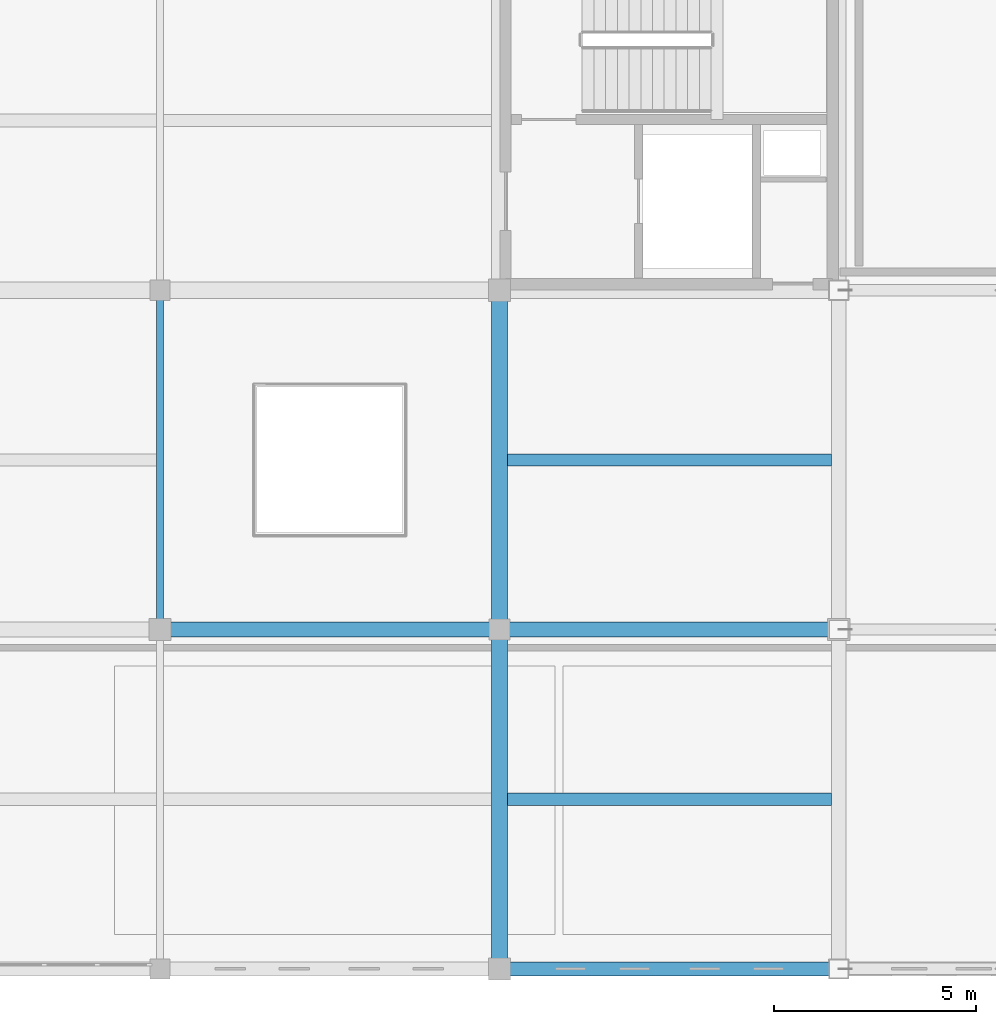
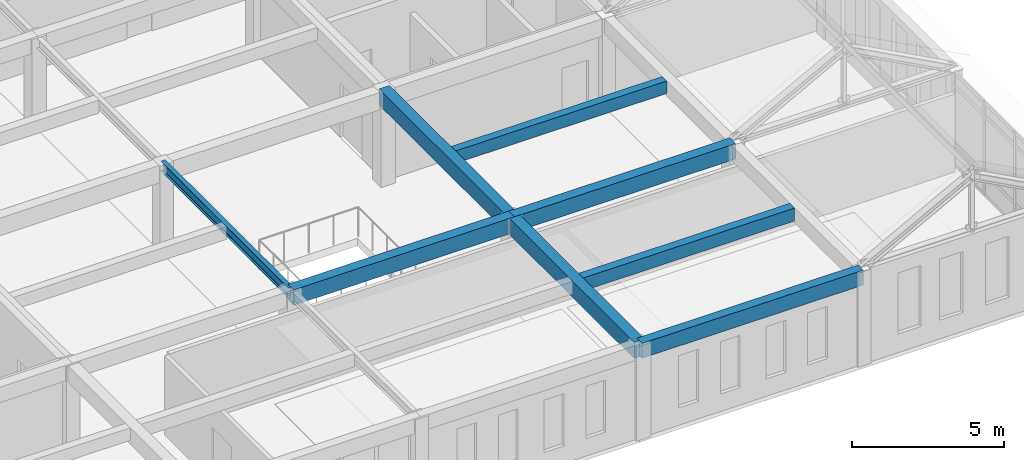
# One storey, part 3 of 36: 8 beams.
"""IFC4 building model written with IfcOpenShell, lengths in metres."""

import ifcopenshell
import ifcopenshell.guid

model = None  # the IFC model being written
_history = None  # IfcOwnerHistory: only IFC2X3 demands one
_inside = {}  # id of a spatial element -> (the spatial element, [elements in it])
_under = {}  # id of a project, library or spatial element -> (it, [spatial elements below it])
_declared = {}  # id of a project -> (the project, [libraries it declares])
_typed = {}  # id of a type object -> (the type object, [elements of that type])
_made_of = {}  # id of a material, layer set ... -> (it, [elements and type objects made of it])


def new_model(schema):
    """Start an empty IFC model of exactly this schema.

    Asked for "IFC4X3", IfcOpenShell would pick the latest addendum, in which some entities
    have other attributes; the version numbers below select the first issue.
    IFC2X3 requires an IfcOwnerHistory on every rooted entity: one is made here for all.
    """
    global model, _history
    if schema == "IFC4X3":
        model = ifcopenshell.file(schema_version=(4, 3, 0, 0))
    else:
        model = ifcopenshell.file(schema=schema)
    _inside.clear()
    _under.clear()
    _declared.clear()
    _typed.clear()
    _made_of.clear()
    _history = None
    if model.schema == "IFC2X3":
        org = make("IfcOrganization", Name="unknown")
        user = make(
            "IfcPersonAndOrganization",
            ThePerson=make("IfcPerson", FamilyName="unknown"),
            TheOrganization=org,
        )
        app = make(
            "IfcApplication",
            ApplicationDeveloper=org,
            Version="unknown",
            ApplicationFullName="unknown",
            ApplicationIdentifier="unknown",
        )
        _history = make(
            "IfcOwnerHistory",
            OwningUser=user,
            OwningApplication=app,
            ChangeAction="ADDED",
            CreationDate=0,
        )
    return model


def make(cls, **values):
    """One entity of the class cls with the attributes given. An attribute that is None is left unset."""
    return model.create_entity(
        cls, **{name: value for name, value in values.items() if value is not None}
    )


def rooted(cls, **values):
    """An entity with a GlobalId (a new one), such as an element, a storey or a relation."""
    return make(cls, GlobalId=ifcopenshell.guid.new(), OwnerHistory=_history, **values)


def si_unit(unit_type, name, prefix=None):
    """IfcSIUnit, for example si_unit("LENGTHUNIT", "METRE", prefix="MILLI")."""
    return make("IfcSIUnit", UnitType=unit_type, Prefix=prefix, Name=name)


def assignment(units):
    """IfcUnitAssignment: the units of a project."""
    return None if units is None else make("IfcUnitAssignment", Units=units)


def point(xyz):
    """IfcCartesianPoint."""
    return None if xyz is None else make("IfcCartesianPoint", Coordinates=xyz)


def direction(xyz):
    """IfcDirection."""
    return None if xyz is None else make("IfcDirection", DirectionRatios=xyz)


def frame(location, z_axis=None, x_axis=None):
    """IfcAxis2Placement3D, a coordinate frame: its origin and axes. An axis left out is left unset."""
    return make(
        "IfcAxis2Placement3D",
        Location=point(location),
        Axis=direction(z_axis),
        RefDirection=direction(x_axis),
    )


def frame_2d(location, x_axis=None):
    """IfcAxis2Placement2D, a coordinate frame in the plane: its origin and x axis."""
    return make(
        "IfcAxis2Placement2D", Location=point(location), RefDirection=direction(x_axis)
    )


def origin():
    """The frame at (0, 0, 0) with its axes left unset."""
    return frame((0.0, 0.0, 0.0))


def origin_2d():
    """The frame at (0, 0) in the plane with its x axis left unset."""
    return frame_2d((0.0, 0.0))


def place(relative_to, where):
    """IfcLocalPlacement: puts the frame where relative to a parent placement (None: the world)."""
    return make(
        "IfcLocalPlacement", PlacementRelTo=relative_to, RelativePlacement=where
    )


def context(
    kind, dimensions, precision=None, world=None, true_north=None, identifier=None
):
    """IfcGeometricRepresentationContext, for example the 3D "Model" context."""
    return make(
        "IfcGeometricRepresentationContext",
        ContextIdentifier=identifier,
        ContextType=kind,
        CoordinateSpaceDimension=dimensions,
        Precision=precision,
        WorldCoordinateSystem=world,
        TrueNorth=true_north,
    )


def subcontext(parent, identifier, kind, view, scale=None):
    """IfcGeometricRepresentationSubContext, for example "Body" below "Model"."""
    return make(
        "IfcGeometricRepresentationSubContext",
        ContextIdentifier=identifier,
        ContextType=kind,
        ParentContext=parent,
        TargetScale=scale,
        TargetView=view,
    )


def project(units=None, contexts=None):
    """IfcProject with its units and contexts."""
    return rooted(
        "IfcProject",
        Name="project",
        RepresentationContexts=contexts,
        UnitsInContext=assignment(units),
    )


def spatial(cls, under=None, at=None, **own):
    """A site, building, storey or space (cls), placed at a placement, below another one or the project."""
    s = rooted(cls, ObjectPlacement=at, **own)
    if under is not None:
        _under.setdefault(under.id(), (under, []))[1].append(s)
    return s


def profile(cls, at=None, kind="AREA", **sizes):
    """A parametric profile (cls). Its sizes go by their IFC names, for example OverallWidth=200.0."""
    return make(cls, ProfileType=kind, Position=at, **sizes)


def rectangle(**sizes):
    """IfcRectangleProfileDef."""
    return profile("IfcRectangleProfileDef", **sizes)


def i_section(**sizes):
    """IfcIShapeProfileDef."""
    return profile("IfcIShapeProfileDef", **sizes)


def extrude(swept, where, along, depth):
    """IfcExtrudedAreaSolid: the profile swept, set in the frame where, extruded along a direction by depth."""
    return make(
        "IfcExtrudedAreaSolid",
        SweptArea=swept,
        Position=where,
        ExtrudedDirection=direction(along),
        Depth=depth,
    )


def shape(context_of_items, identifier, shape_type, items):
    """IfcShapeRepresentation: the items that make up one representation, for example the "Body"."""
    return make(
        "IfcShapeRepresentation",
        ContextOfItems=context_of_items,
        RepresentationIdentifier=identifier,
        RepresentationType=shape_type,
        Items=items,
    )


def material(Name=None, Category=None):
    """IfcMaterial."""
    return make("IfcMaterial", Name=Name, Category=Category)


def material_profile(
    of_material, cross_section, Name=None, Category=None, Priority=None
):
    """IfcMaterialProfile: a cross section and its material."""
    return make(
        "IfcMaterialProfile",
        Name=Name,
        Material=of_material,
        Profile=cross_section,
        Priority=Priority,
        Category=Category,
    )


def profile_set(profiles, Name=None, composite=None):
    """IfcMaterialProfileSet."""
    return make(
        "IfcMaterialProfileSet",
        Name=Name,
        MaterialProfiles=profiles,
        CompositeProfile=composite,
    )


def made_of(thing, what):
    """Note that an element or type object is made of a material, layer set ...; save() writes the relation."""
    if what is not None:
        _made_of.setdefault(what.id(), (what, []))[1].append(thing)
    return thing


def type_object(cls, material=None, **own):
    """A type object (cls), such as IfcWallType, which elements share."""
    return made_of(rooted(cls, **own), material)


def element(
    cls,
    number,
    at=None,
    inside=None,
    cuts=None,
    type_object=None,
    material=None,
    context=None,
    identifier="Body",
    shape_type=None,
    held_by="IfcProductDefinitionShape",
    body=None,
    shapes=None,
    **own,
):
    """One element of the class cls, such as IfcWall. Its Tag is "e" and its number.

    at: its placement. inside: the storey or other place that contains it. cuts: it is an
    opening in that element (IfcRelVoidsElement). A single representation is given by context,
    identifier, shape_type and body (its items); several are given by shapes. held_by: the class
    of the entity that holds the representations. save() writes the other relations.
    """
    e = rooted(cls, Tag="e%d" % number, ObjectPlacement=at, **own)
    if body is not None:
        shapes = [shape(context, identifier, shape_type, body)]
    if shapes is not None:
        e.Representation = make(held_by, Representations=shapes)
    if inside is not None:
        _inside.setdefault(inside.id(), (inside, []))[1].append(e)
    if cuts is not None:
        rooted(
            "IfcRelVoidsElement", RelatingBuildingElement=cuts, RelatedOpeningElement=e
        )
    if type_object is not None:
        _typed.setdefault(type_object.id(), (type_object, []))[1].append(e)
    return made_of(e, material)


def aggregate(whole, parts):
    """IfcRelAggregates: a whole, such as a stair, and the parts it consists of."""
    return rooted("IfcRelAggregates", RelatingObject=whole, RelatedObjects=parts)


def save(model, path):
    """Write the relations noted so far, then the file.

    IfcRelAggregates (storeys below a building ...), IfcRelContainedInSpatialStructure (elements
    in a storey), IfcRelDefinesByType, IfcRelAssociatesMaterial and IfcRelDeclares: one each for
    every whole, place, type object, material and project.
    """
    for whole, parts in _under.values():
        aggregate(whole, parts)
    for where, things in _inside.values():
        rooted(
            "IfcRelContainedInSpatialStructure",
            RelatedElements=things,
            RelatingStructure=where,
        )
    for kind, things in _typed.values():
        rooted("IfcRelDefinesByType", RelatedObjects=things, RelatingType=kind)
    for what, things in _made_of.values():
        rooted("IfcRelAssociatesMaterial", RelatedObjects=things, RelatingMaterial=what)
    for by, libraries in _declared.values():
        rooted("IfcRelDeclares", RelatingContext=by, RelatedDefinitions=libraries)
    model.write(path)


model = new_model("IFC4")

# Units and contexts
model_context = context("Model", 3, precision=1e-05, world=origin(), true_north=direction((0.0, 1.0)))
body_context = subcontext(model_context, "Body", "Model", "MODEL_VIEW")
ifc_project = project(units=[si_unit("LENGTHUNIT", "METRE"), si_unit("AREAUNIT", "SQUARE_METRE"), si_unit("VOLUMEUNIT", "CUBIC_METRE"), si_unit("PLANEANGLEUNIT", "RADIAN"), si_unit("MASSUNIT", "GRAM", prefix="KILO")], contexts=[model_context])

# Site, building, storey
site_placement = place(None, origin())
site = spatial("IfcSite", under=ifc_project, at=site_placement, CompositionType="ELEMENT")
building_placement = place(site_placement, origin())
building = spatial("IfcBuilding", under=site, at=building_placement, Name="Kveldsbrygga Polytechnic", CompositionType="ELEMENT")
storey_placement = place(building_placement, frame((0.0, 0.0, 22.10009765625)))
storey = spatial("IfcBuildingStorey", under=building, at=storey_placement, Name="L05", CompositionType="ELEMENT", Elevation=22.10009765625)

# Beams
ifc_material_1 = material(Name="Concrete C35/45", Category="concrete")
ifc_material_profile_1 = material_profile(ifc_material_1, rectangle(XDim=0.3798828125, YDim=0.6201171875, at=origin_2d()), Name="RC 380x620")
ifc_profile_set_1 = profile_set([ifc_material_profile_1], Name="Concrete C35/45")
beam_type_1 = type_object("IfcBeamType", Name="BM-RC-380x620", PredefinedType="BEAM", material=ifc_profile_set_1)
beam_1_placement = place(storey_placement, frame((142.800048828125, 25.199951171875, 3.469970703125), z_axis=(1.0, 0.0, 0.0), x_axis=(0.0, 1.0, 0.0)))
element("IfcBeam", 1, at=beam_1_placement, inside=storey, type_object=beam_type_1, Name="Primary Beam BMX-L05-17to18-03", PredefinedType="BEAM", context=body_context, shape_type="SweptSolid", body=[
    extrude(rectangle(XDim=0.3798828125, YDim=0.6201171875, at=origin_2d()), origin(), (0.0, 0.0, 1.0), 8.39990234375),
])
beam_2_placement = place(storey_placement, frame((151.199951171875, 25.199951171875, 3.469970703125), z_axis=(1.0, 0.0, 0.0), x_axis=(0.0, 1.0, 0.0)))
element("IfcBeam", 2, at=beam_2_placement, inside=storey, type_object=beam_type_1, Name="Primary Beam BMX-L05-18to19-03", PredefinedType="BEAM", context=body_context, shape_type="SweptSolid", body=[
    extrude(rectangle(XDim=0.3798828125, YDim=0.6201171875, at=origin_2d()), origin(), (0.0, 0.0, 1.0), 8.400146484375),
])
ifc_material_profile_2 = material_profile(ifc_material_1, rectangle(XDim=0.39990234375, YDim=0.64990234375, at=origin_2d()), Name="RC 400x650")
ifc_profile_set_2 = profile_set([ifc_material_profile_2], Name="Concrete C35/45")
beam_type_2 = type_object("IfcBeamType", Name="BM-RC-400x650", PredefinedType="BEAM", material=ifc_profile_set_2)
beam_3_placement = place(storey_placement, frame((151.199951171875, 16.800048828125, 3.454833984375), z_axis=(0.0, 1.0, 0.0), x_axis=(-1.0, 0.0, 0.0)))
element("IfcBeam", 3, at=beam_3_placement, inside=storey, type_object=beam_type_2, Name="Primary Beam BMY-L05-18-02to03", PredefinedType="BEAM", context=body_context, shape_type="SweptSolid", body=[
    extrude(rectangle(XDim=0.39990234375, YDim=0.64990234375, at=origin_2d()), origin(), (0.0, 0.0, 1.0), 8.39990234375),
])
beam_4_placement = place(storey_placement, frame((151.199951171875, 25.199951171875, 3.454833984375), z_axis=(0.0, 1.0, 0.0), x_axis=(-1.0, 0.0, 0.0)))
element("IfcBeam", 4, at=beam_4_placement, inside=storey, type_object=beam_type_2, Name="Primary Beam BMY-L05-18-03to04", PredefinedType="BEAM", context=body_context, shape_type="SweptSolid", body=[
    extrude(rectangle(XDim=0.39990234375, YDim=0.64990234375, at=origin_2d()), origin(), (0.0, 0.0, 1.0), 8.400146484375),
])
ifc_material_profile_3 = material_profile(ifc_material_1, rectangle(XDim=0.35009765625, YDim=0.60009765625, at=origin_2d()), Name="RC 350x600")
ifc_profile_set_3 = profile_set([ifc_material_profile_3], Name="Concrete C35/45")
beam_type_3 = type_object("IfcBeamType", Name="BM-SPANDREL-600", PredefinedType="T_BEAM", material=ifc_profile_set_3)
beam_5_placement = place(storey_placement, frame((151.199951171875, 16.800048828125, 3.47998046875), z_axis=(1.0, 0.0, 0.0), x_axis=(0.0, 1.0, 0.0)))
element("IfcBeam", 5, at=beam_5_placement, inside=storey, type_object=beam_type_3, Name="Primary Beam BMX-L05-18to19-02", PredefinedType="T_BEAM", context=body_context, shape_type="SweptSolid", body=[
    extrude(rectangle(XDim=0.35009765625, YDim=0.60009765625, at=origin_2d()), origin(), (0.0, 0.0, 1.0), 8.400146484375),
])
ifc_material_2 = material(Name="Steel S355", Category="steel")
ifc_material_profile_4 = material_profile(ifc_material_2, i_section(OverallWidth=0.179931640625, OverallDepth=0.39990234375, WebThickness=0.008544921875, FlangeThickness=0.013427734375, FilletRadius=0.02099609375, at=origin_2d()), Name="IPE 400")
ifc_profile_set_4 = profile_set([ifc_material_profile_4], Name="Steel S355")
beam_type_4 = type_object("IfcBeamType", Name="BM-STL-IPE400", PredefinedType="BEAM", material=ifc_profile_set_4)
beam_6_placement = place(storey_placement, frame((142.800048828125, 25.199951171875, 3.579833984375), z_axis=(0.0, 1.0, 0.0), x_axis=(-1.0, 0.0, 0.0)))
element("IfcBeam", 6, at=beam_6_placement, inside=storey, type_object=beam_type_4, Name="Primary Beam BMY-L05-17-03to04", PredefinedType="BEAM", context=body_context, shape_type="SweptSolid", body=[
    extrude(i_section(OverallWidth=0.179931640625, OverallDepth=0.39990234375, WebThickness=0.008544921875, FlangeThickness=0.013427734375, FilletRadius=0.02099609375, at=origin_2d()), origin(), (0.0, 0.0, 1.0), 8.400146484375),
])
ifc_material_profile_5 = material_profile(ifc_material_1, rectangle(XDim=0.300048828125, YDim=0.5, at=origin_2d()), Name="RC 300x500")
ifc_profile_set_5 = profile_set([ifc_material_profile_5], Name="Concrete C35/45")
beam_type_5 = type_object("IfcBeamType", Name="JST-RC-300x500", PredefinedType="JOIST", material=ifc_profile_set_5)
beam_7_placement = place(storey_placement, frame((151.39990234375, 29.39990234375, 3.52978515625), z_axis=(1.0, 0.0, 0.0), x_axis=(0.0, 1.0, 0.0)))
element("IfcBeam", 7, at=beam_7_placement, inside=storey, type_object=beam_type_5, Name="Secondary Joist JST-L05-18-03", PredefinedType="JOIST", context=body_context, shape_type="SweptSolid", body=[
    extrude(rectangle(XDim=0.300048828125, YDim=0.5, at=origin_2d()), origin(), (0.0, 0.0, 1.0), 8.025146484375),
])
ifc_material_profile_6 = material_profile(ifc_material_1, rectangle(XDim=0.320068359375, YDim=0.52001953125, at=origin_2d()), Name="RC 320x520")
ifc_profile_set_6 = profile_set([ifc_material_profile_6], Name="Concrete C35/45")
beam_type_6 = type_object("IfcBeamType", Name="JST-RC-320x520", PredefinedType="JOIST", material=ifc_profile_set_6)
beam_8_placement = place(storey_placement, frame((151.39990234375, 21.0, 3.52001953125), z_axis=(1.0, 0.0, 0.0), x_axis=(0.0, 1.0, 0.0)))
element("IfcBeam", 8, at=beam_8_placement, inside=storey, type_object=beam_type_6, Name="Secondary Joist JST-L05-18-02", PredefinedType="JOIST", context=body_context, shape_type="SweptSolid", body=[
    extrude(rectangle(XDim=0.320068359375, YDim=0.52001953125, at=origin_2d()), origin(), (0.0, 0.0, 1.0), 8.025146484375),
])

save(model, "model.ifc")
